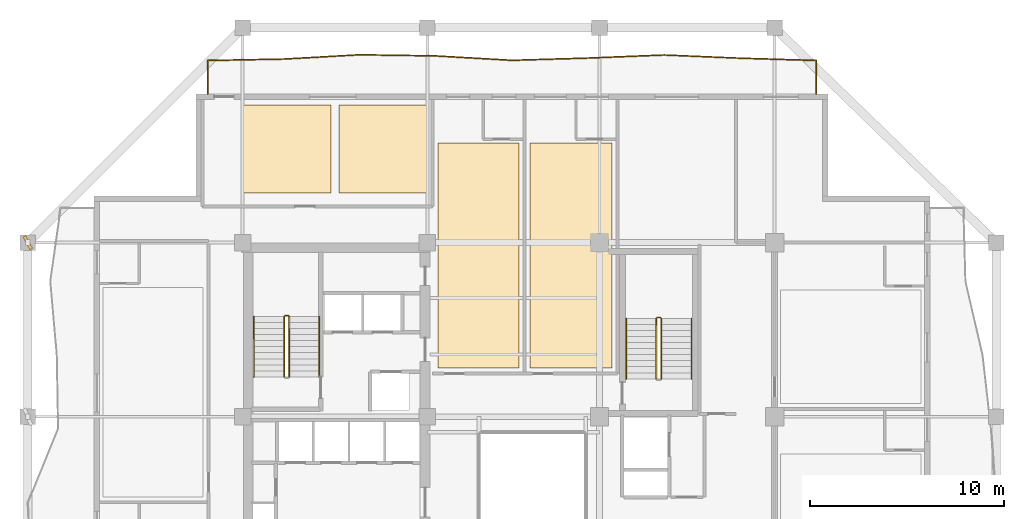
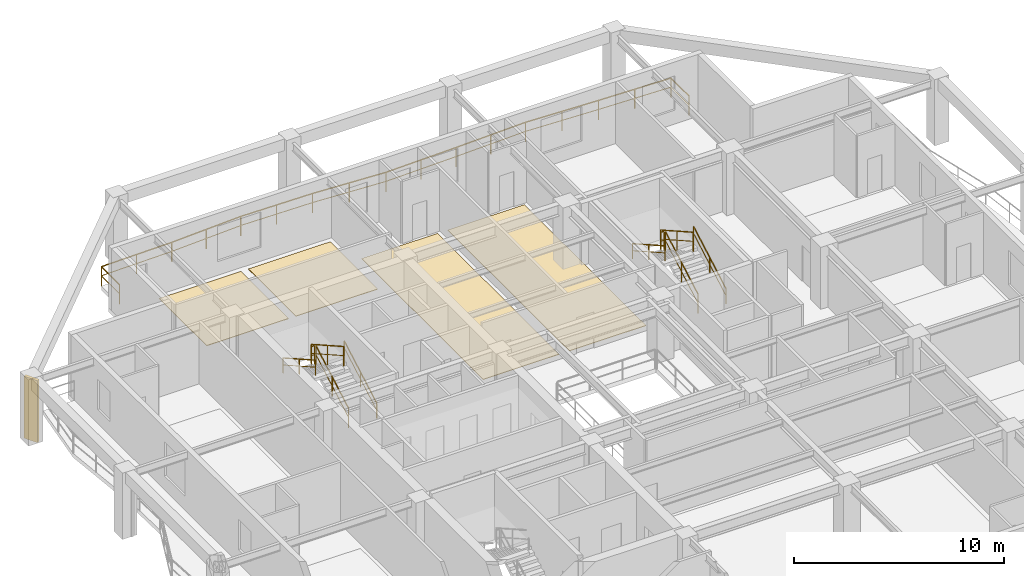
# One storey, part 10 of 12: 11 railings, 4 coverings, 1 shading device.
"""IFC4 building model written with IfcOpenShell, lengths in metres."""

from ifc_helpers import new_model, si_unit, direction, frame, origin, origin_2d, place, context, subcontext, project, spatial, polyline, rectangle, outline, extrude, material, layer, layer_set, type_object, element, save


model = new_model("IFC4")

# Units and contexts
model_context = context("Model", 3, precision=1e-05, world=origin(), true_north=direction((0.0, 1.0)))
body_context = subcontext(model_context, "Body", "Model", "MODEL_VIEW")
ifc_project = project(units=[si_unit("LENGTHUNIT", "METRE"), si_unit("AREAUNIT", "SQUARE_METRE"), si_unit("VOLUMEUNIT", "CUBIC_METRE"), si_unit("PLANEANGLEUNIT", "RADIAN"), si_unit("MASSUNIT", "GRAM", prefix="KILO")], contexts=[model_context])

# Site, building, storey
site_placement = place(None, origin())
site = spatial("IfcSite", under=ifc_project, at=site_placement, CompositionType="ELEMENT")
building_placement = place(site_placement, origin())
building = spatial("IfcBuilding", under=site, at=building_placement, Name="Kundavana Baori Tower", CompositionType="ELEMENT")
storey_placement = place(building_placement, frame((0.0, 0.0, 196.39990234375)))
storey = spatial("IfcBuildingStorey", under=building, at=storey_placement, Name="L48", CompositionType="ELEMENT", Elevation=196.39990234375)

# Coverings
ifc_material_1 = material(Name="Honed Kota Stone and Terrazzo Flooring", Category="masonry")
ifc_layer = layer(ifc_material_1, 0.030029296875, Name="COV-INT-FLR")
ifc_layer_set = layer_set([ifc_layer], Name="Honed Kota Stone and Terrazzo Flooring")
covering_type = type_object("IfcCoveringType", Name="COV-INT-FLR", PredefinedType="FLOORING", material=ifc_layer_set)
covering_1_placement = place(storey_placement, origin())
element("IfcCovering", 1, at=covering_1_placement, inside=storey, type_object=covering_type, Name="L48 Room Finished Stone Flooring 7", PredefinedType="FLOORING", context=body_context, shape_type="SweptSolid", body=[
    extrude(outline(polyline([(25.5, 35.5), (29.669921875, 35.5), (29.669921875, 47.070068359375), (25.5, 47.070068359375), (25.5, 35.5)])), origin(), (0.0, 0.0, 1.0), 0.030029296875),
])
covering_2_placement = place(storey_placement, origin())
element("IfcCovering", 2, at=covering_2_placement, inside=storey, type_object=covering_type, Name="L48 Room Finished Stone Flooring 8", PredefinedType="FLOORING", context=body_context, shape_type="SweptSolid", body=[
    extrude(outline(polyline([(30.22998046875, 35.5), (34.43994140625, 35.5), (34.43994140625, 47.070068359375), (30.22998046875, 47.070068359375), (30.22998046875, 35.5)])), origin(), (0.0, 0.0, 1.0), 0.030029296875),
])
covering_3_placement = place(storey_placement, origin())
element("IfcCovering", 3, at=covering_3_placement, inside=storey, type_object=covering_type, Name="L48 Room Finished Stone Flooring 11", PredefinedType="FLOORING", context=body_context, shape_type="SweptSolid", body=[
    extrude(outline(polyline([(15.5, 44.5), (20.0, 44.5), (20.0, 49.02001953125), (15.5, 49.02001953125), (15.5, 44.5)])), origin(), (0.0, 0.0, 1.0), 0.030029296875),
])
covering_4_placement = place(storey_placement, origin())
element("IfcCovering", 4, at=covering_4_placement, inside=storey, type_object=covering_type, Name="L48 Room Finished Stone Flooring 12", PredefinedType="FLOORING", context=body_context, shape_type="SweptSolid", body=[
    extrude(outline(polyline([(20.39990234375, 44.5), (24.89990234375, 44.5), (24.89990234375, 49.02001953125), (20.39990234375, 49.02001953125), (20.39990234375, 44.5)])), origin(), (0.0, 0.0, 1.0), 0.030029296875),
])

# Railings
ifc_material_2 = material(Name="Architectural Patinated Bronze Metalwork")
railing_type_1 = type_object("IfcRailingType", Name="RL-BAL-1150", PredefinedType="BALUSTRADE", material=ifc_material_2)
railing_1_placement = place(storey_placement, frame((13.64990234375, 49.60009765625, 0.0)))
element("IfcRailing", 5, at=railing_1_placement, inside=storey, type_object=railing_type_1, Name="L48 Loggia Balcony Balustrade N", PredefinedType="BALUSTRADE", context=body_context, shape_type="SweptSolid", body=[
    extrude(rectangle(XDim=0.048095703125, YDim=0.048095703125, at=origin_2d()), frame((0.0, 0.0, 1.1259765625), z_axis=(0.0, 1.0, 0.0), x_axis=(-1.0, 0.0, 0.0)), (0.0, 0.0, 1.0), 1.719970703125),
    extrude(rectangle(XDim=0.03125, YDim=0.03125, at=origin_2d()), frame((0.0, 0.0, 0.597900390625), z_axis=(0.0, 1.0, 0.0), x_axis=(-1.0, 0.0, 0.0)), (0.0, 0.0, 1.0), 1.719970703125),
    extrude(rectangle(XDim=0.048095703125, YDim=0.048095703125, at=origin_2d()), frame((0.0, 1.719970703125, 1.1259765625), z_axis=(0.999816521431, 0.019155246635, 0.0), x_axis=(-0.019155246635, 0.999816521431, 0.0)), (0.0, 0.0, 1.0), 3.912841796875),
    extrude(rectangle(XDim=0.03125, YDim=0.03125, at=origin_2d()), frame((0.0, 1.719970703125, 0.597900390625), z_axis=(0.999816521431, 0.019155246635, 0.0), x_axis=(-0.019155246635, 0.999816521431, 0.0)), (0.0, 0.0, 1.0), 3.912841796875),
    extrude(rectangle(XDim=0.048095703125, YDim=0.048095703125, at=origin_2d()), frame((3.912109375, 1.794921875, 1.1259765625), z_axis=(0.998423720892, 0.056125516129, 0.0), x_axis=(-0.056125516129, 0.998423720892, 0.0)), (0.0, 0.0, 1.0), 3.919189453125),
    extrude(rectangle(XDim=0.03125, YDim=0.03125, at=origin_2d()), frame((3.912109375, 1.794921875, 0.597900390625), z_axis=(0.998423720892, 0.056125516129, 0.0), x_axis=(-0.056125516129, 0.998423720892, 0.0)), (0.0, 0.0, 1.0), 3.919189453125),
    extrude(rectangle(XDim=0.048095703125, YDim=0.048095703125, at=origin_2d()), frame((7.8251953125, 2.014892578125, 1.1259765625), z_axis=(0.999886021744, -0.015097798544, 0.0), x_axis=(0.015097798544, 0.999886021744, 0.0)), (0.0, 0.0, 1.0), 3.913330078125),
    extrude(rectangle(XDim=0.03125, YDim=0.03125, at=origin_2d()), frame((7.8251953125, 2.014892578125, 0.597900390625), z_axis=(0.999886021744, -0.015097798544, 0.0), x_axis=(0.015097798544, 0.999886021744, 0.0)), (0.0, 0.0, 1.0), 3.913330078125),
    extrude(rectangle(XDim=0.048095703125, YDim=0.048095703125, at=origin_2d()), frame((11.738037109375, 1.955810546875, 1.1259765625), z_axis=(0.998323643272, -0.057878349014, 0.0), x_axis=(0.057878349014, 0.998323643272, 0.0)), (0.0, 0.0, 1.0), 3.918701171875),
    extrude(rectangle(XDim=0.03125, YDim=0.03125, at=origin_2d()), frame((11.738037109375, 1.955810546875, 0.597900390625), z_axis=(0.998323643272, -0.057878349014, 0.0), x_axis=(0.057878349014, 0.998323643272, 0.0)), (0.0, 0.0, 1.0), 3.918701171875),
    extrude(rectangle(XDim=0.048095703125, YDim=0.048095703125, at=origin_2d()), frame((15.650146484375, 1.72900390625, 1.1259765625), z_axis=(0.999553680635, 0.029873726401, 0.0), x_axis=(-0.029873726401, 0.999553680635, 0.0)), (0.0, 0.0, 1.0), 3.91455078125),
    extrude(rectangle(XDim=0.03125, YDim=0.03125, at=origin_2d()), frame((15.650146484375, 1.72900390625, 0.597900390625), z_axis=(0.999553680635, 0.029873726401, 0.0), x_axis=(-0.029873726401, 0.999553680635, 0.0)), (0.0, 0.0, 1.0), 3.91455078125),
    extrude(rectangle(XDim=0.048095703125, YDim=0.048095703125, at=origin_2d()), frame((19.56298828125, 1.845947265625, 1.1259765625), z_axis=(0.999195870512, 0.040095041484, 0.0), x_axis=(-0.040095041484, 0.999195870512, 0.0)), (0.0, 0.0, 1.0), 3.915283203125),
    extrude(rectangle(XDim=0.03125, YDim=0.03125, at=origin_2d()), frame((19.56298828125, 1.845947265625, 0.597900390625), z_axis=(0.999195870512, 0.040095041484, 0.0), x_axis=(-0.040095041484, 0.999195870512, 0.0)), (0.0, 0.0, 1.0), 3.915283203125),
    extrude(rectangle(XDim=0.048095703125, YDim=0.048095703125, at=origin_2d()), frame((23.47509765625, 2.0029296875, 1.1259765625), z_axis=(0.999122235974, -0.041889826714, 0.0), x_axis=(0.041889826714, 0.999122235974, 0.0)), (0.0, 0.0, 1.0), 3.91650390625),
    extrude(rectangle(XDim=0.03125, YDim=0.03125, at=origin_2d()), frame((23.47509765625, 2.0029296875, 0.597900390625), z_axis=(0.999122235974, -0.041889826714, 0.0), x_axis=(0.041889826714, 0.999122235974, 0.0)), (0.0, 0.0, 1.0), 3.91650390625),
    extrude(rectangle(XDim=0.048095703125, YDim=0.048095703125, at=origin_2d()), frame((27.38818359375, 1.8388671875, 1.1259765625), z_axis=(0.99953842796, -0.030379779967, 0.0), x_axis=(0.030379779967, 0.99953842796, 0.0)), (0.0, 0.0, 1.0), 3.91357421875),
    extrude(rectangle(XDim=0.03125, YDim=0.03125, at=origin_2d()), frame((27.38818359375, 1.8388671875, 0.597900390625), z_axis=(0.99953842796, -0.030379779967, 0.0), x_axis=(0.030379779967, 0.99953842796, 0.0)), (0.0, 0.0, 1.0), 3.91357421875),
    extrude(rectangle(XDim=0.048095703125, YDim=0.048095703125, at=origin_2d()), frame((31.300048828125, 1.719970703125, 1.1259765625), z_axis=(0.0, -1.0, 0.0), x_axis=(1.0, 0.0, 0.0)), (0.0, 0.0, 1.0), 1.719970703125),
    extrude(rectangle(XDim=0.03125, YDim=0.03125, at=origin_2d()), frame((31.300048828125, 1.719970703125, 0.597900390625), z_axis=(0.0, -1.0, 0.0), x_axis=(1.0, 0.0, 0.0)), (0.0, 0.0, 1.0), 1.719970703125),
    extrude(rectangle(XDim=0.0419921875, YDim=0.0419921875, at=origin_2d()), origin(), (0.0, 0.0, 1.0), 1.101806640625),
    extrude(rectangle(XDim=0.0419921875, YDim=0.0419921875, at=origin_2d()), frame((0.0, 1.719970703125, 0.0)), (0.0, 0.0, 1.0), 1.101806640625),
    extrude(rectangle(XDim=0.0419921875, YDim=0.0419921875, at=origin_2d()), frame((1.9560546875, 1.75732421875, 0.0)), (0.0, 0.0, 1.0), 1.101806640625),
    extrude(rectangle(XDim=0.0419921875, YDim=0.0419921875, at=origin_2d()), frame((3.912109375, 1.794921875, 0.0)), (0.0, 0.0, 1.0), 1.101806640625),
    extrude(rectangle(XDim=0.0419921875, YDim=0.0419921875, at=origin_2d()), frame((5.86865234375, 1.90478515625, 0.0)), (0.0, 0.0, 1.0), 1.101806640625),
    extrude(rectangle(XDim=0.0419921875, YDim=0.0419921875, at=origin_2d()), frame((7.8251953125, 2.014892578125, 0.0)), (0.0, 0.0, 1.0), 1.101806640625),
    extrude(rectangle(XDim=0.0419921875, YDim=0.0419921875, at=origin_2d()), frame((9.78173828125, 1.9853515625, 0.0)), (0.0, 0.0, 1.0), 1.101806640625),
    extrude(rectangle(XDim=0.0419921875, YDim=0.0419921875, at=origin_2d()), frame((11.738037109375, 1.955810546875, 0.0)), (0.0, 0.0, 1.0), 1.101806640625),
    extrude(rectangle(XDim=0.0419921875, YDim=0.0419921875, at=origin_2d()), frame((13.694091796875, 1.84228515625, 0.0)), (0.0, 0.0, 1.0), 1.101806640625),
    extrude(rectangle(XDim=0.0419921875, YDim=0.0419921875, at=origin_2d()), frame((15.650146484375, 1.72900390625, 0.0)), (0.0, 0.0, 1.0), 1.101806640625),
    extrude(rectangle(XDim=0.0419921875, YDim=0.0419921875, at=origin_2d()), frame((17.6064453125, 1.78759765625, 0.0)), (0.0, 0.0, 1.0), 1.101806640625),
    extrude(rectangle(XDim=0.0419921875, YDim=0.0419921875, at=origin_2d()), frame((19.56298828125, 1.845947265625, 0.0)), (0.0, 0.0, 1.0), 1.101806640625),
    extrude(rectangle(XDim=0.0419921875, YDim=0.0419921875, at=origin_2d()), frame((21.51904296875, 1.92431640625, 0.0)), (0.0, 0.0, 1.0), 1.101806640625),
    extrude(rectangle(XDim=0.0419921875, YDim=0.0419921875, at=origin_2d()), frame((23.47509765625, 2.0029296875, 0.0)), (0.0, 0.0, 1.0), 1.101806640625),
    extrude(rectangle(XDim=0.0419921875, YDim=0.0419921875, at=origin_2d()), frame((25.431640625, 1.9208984375, 0.0)), (0.0, 0.0, 1.0), 1.101806640625),
    extrude(rectangle(XDim=0.0419921875, YDim=0.0419921875, at=origin_2d()), frame((27.38818359375, 1.8388671875, 0.0)), (0.0, 0.0, 1.0), 1.101806640625),
    extrude(rectangle(XDim=0.0419921875, YDim=0.0419921875, at=origin_2d()), frame((29.34423828125, 1.779296875, 0.0)), (0.0, 0.0, 1.0), 1.101806640625),
    extrude(rectangle(XDim=0.0419921875, YDim=0.0419921875, at=origin_2d()), frame((31.300048828125, 1.719970703125, 0.0)), (0.0, 0.0, 1.0), 1.101806640625),
    extrude(rectangle(XDim=0.0419921875, YDim=0.0419921875, at=origin_2d()), frame((31.300048828125, 0.0, 0.0)), (0.0, 0.0, 1.0), 1.101806640625),
])
ifc_material_3 = material(Name="Architectural Patinated Bronze Metalwork")
railing_type_2 = type_object("IfcRailingType", Name="RL-GRD-1150", PredefinedType="GUARDRAIL", material=ifc_material_3)
railing_2_placement = place(storey_placement, frame((17.840087890625, 35.050048828125, 0.175048828125)))
element("IfcRailing", 6, at=railing_2_placement, inside=storey, type_object=railing_type_2, Name="L48 ST2 stair guard 1", PredefinedType="GUARDRAIL", context=body_context, shape_type="SweptSolid", body=[
    extrude(rectangle(XDim=0.048095703125, YDim=0.048095703125, at=origin_2d()), frame((0.0, 0.0, 1.1259765625), z_axis=(0.0, 0.870814364268, 0.491611984175), x_axis=(-1.0, 0.0, 0.0)), (0.0, 0.0, 1.0), 3.559814453125),
    extrude(rectangle(XDim=0.03125, YDim=0.03125, at=origin_2d()), frame((0.0, 0.0, 0.597900390625), z_axis=(0.0, 0.870814364268, 0.491611984175), x_axis=(-1.0, 0.0, 0.0)), (0.0, 0.0, 1.0), 3.559814453125),
    extrude(rectangle(XDim=0.0419921875, YDim=0.0419921875, at=origin_2d()), origin(), (0.0, 0.0, 1.0), 1.101806640625),
    extrude(rectangle(XDim=0.0419921875, YDim=0.0419921875, at=origin_2d()), frame((0.0, 1.5498046875, 0.875)), (0.0, 0.0, 1.0), 1.101806640625),
    extrude(rectangle(XDim=0.0419921875, YDim=0.0419921875, at=origin_2d()), frame((0.0, 3.099853515625, 1.75)), (0.0, 0.0, 1.0), 1.101806640625),
])
railing_3_placement = place(storey_placement, frame((17.7900390625, 38.199951171875, 1.925048828125)))
element("IfcRailing", 7, at=railing_3_placement, inside=storey, type_object=railing_type_2, Name="L48 ST2 stair guard 2", PredefinedType="GUARDRAIL", context=body_context, shape_type="SweptSolid", body=[
    extrude(rectangle(XDim=0.048095703125, YDim=0.048095703125, at=origin_2d()), frame((0.0, 0.0, 1.1259765625), z_axis=(-1.0, 0.0, 0.0), x_axis=(0.0, -1.0, 0.0)), (0.0, 0.0, 1.0), 0.16015625),
    extrude(rectangle(XDim=0.03125, YDim=0.03125, at=origin_2d()), frame((0.0, 0.0, 0.597900390625), z_axis=(-1.0, 0.0, 0.0), x_axis=(0.0, -1.0, 0.0)), (0.0, 0.0, 1.0), 0.16015625),
    extrude(rectangle(XDim=0.0419921875, YDim=0.0419921875, at=origin_2d()), origin(), (0.0, 0.0, 1.0), 1.101806640625),
    extrude(rectangle(XDim=0.0419921875, YDim=0.0419921875, at=origin_2d()), frame((-0.16015625, 0.0, 0.0)), (0.0, 0.0, 1.0), 1.101806640625),
])
railing_4_placement = place(storey_placement, frame((17.580078125, 38.14990234375, 2.10009765625)))
element("IfcRailing", 8, at=railing_4_placement, inside=storey, type_object=railing_type_2, Name="L48 ST2 stair guard 3", PredefinedType="GUARDRAIL", context=body_context, shape_type="SweptSolid", body=[
    extrude(rectangle(XDim=0.048095703125, YDim=0.048095703125, at=origin_2d()), frame((0.0, 0.0, 1.1259765625), z_axis=(0.0, -0.870814364268, 0.491611984175), x_axis=(1.0, 0.0, 0.0)), (0.0, 0.0, 1.0), 3.559814453125),
    extrude(rectangle(XDim=0.03125, YDim=0.03125, at=origin_2d()), frame((0.0, 0.0, 0.597900390625), z_axis=(0.0, -0.870814364268, 0.491611984175), x_axis=(1.0, 0.0, 0.0)), (0.0, 0.0, 1.0), 3.559814453125),
    extrude(rectangle(XDim=0.0419921875, YDim=0.0419921875, at=origin_2d()), origin(), (0.0, 0.0, 1.0), 1.101806640625),
    extrude(rectangle(XDim=0.0419921875, YDim=0.0419921875, at=origin_2d()), frame((0.0, -1.5498046875, 0.875)), (0.0, 0.0, 1.0), 1.101806640625),
    extrude(rectangle(XDim=0.0419921875, YDim=0.0419921875, at=origin_2d()), frame((0.0, -3.099853515625, 1.75)), (0.0, 0.0, 1.0), 1.101806640625),
])
railing_5_placement = place(storey_placement, frame((36.97998046875, 34.949951171875, 0.175048828125)))
element("IfcRailing", 9, at=railing_5_placement, inside=storey, type_object=railing_type_2, Name="L48 ST3 stair guard 1", PredefinedType="GUARDRAIL", context=body_context, shape_type="SweptSolid", body=[
    extrude(rectangle(XDim=0.048095703125, YDim=0.048095703125, at=origin_2d()), frame((0.0, 0.0, 1.1259765625), z_axis=(0.0, 0.870830938388, 0.491582624537), x_axis=(-1.0, 0.0, 0.0)), (0.0, 0.0, 1.0), 3.559814453125),
    extrude(rectangle(XDim=0.03125, YDim=0.03125, at=origin_2d()), frame((0.0, 0.0, 0.597900390625), z_axis=(0.0, 0.870830938388, 0.491582624537), x_axis=(-1.0, 0.0, 0.0)), (0.0, 0.0, 1.0), 3.559814453125),
    extrude(rectangle(XDim=0.0419921875, YDim=0.0419921875, at=origin_2d()), origin(), (0.0, 0.0, 1.0), 1.101806640625),
    extrude(rectangle(XDim=0.0419921875, YDim=0.0419921875, at=origin_2d()), frame((0.0, 1.550048828125, 0.875)), (0.0, 0.0, 1.0), 1.101806640625),
    extrude(rectangle(XDim=0.0419921875, YDim=0.0419921875, at=origin_2d()), frame((0.0, 3.10009765625, 1.75)), (0.0, 0.0, 1.0), 1.101806640625),
])
railing_6_placement = place(storey_placement, frame((36.929931640625, 38.10009765625, 1.925048828125)))
element("IfcRailing", 10, at=railing_6_placement, inside=storey, type_object=railing_type_2, Name="L48 ST3 stair guard 2", PredefinedType="GUARDRAIL", context=body_context, shape_type="SweptSolid", body=[
    extrude(rectangle(XDim=0.048095703125, YDim=0.048095703125, at=origin_2d()), frame((0.0, 0.0, 1.1259765625), z_axis=(-1.0, 0.0, 0.0), x_axis=(0.0, -1.0, 0.0)), (0.0, 0.0, 1.0), 0.159912109375),
    extrude(rectangle(XDim=0.03125, YDim=0.03125, at=origin_2d()), frame((0.0, 0.0, 0.597900390625), z_axis=(-1.0, 0.0, 0.0), x_axis=(0.0, -1.0, 0.0)), (0.0, 0.0, 1.0), 0.159912109375),
    extrude(rectangle(XDim=0.0419921875, YDim=0.0419921875, at=origin_2d()), origin(), (0.0, 0.0, 1.0), 1.101806640625),
    extrude(rectangle(XDim=0.0419921875, YDim=0.0419921875, at=origin_2d()), frame((-0.159912109375, 0.0, 0.0)), (0.0, 0.0, 1.0), 1.101806640625),
])
railing_7_placement = place(storey_placement, frame((36.719970703125, 38.050048828125, 2.10009765625)))
element("IfcRailing", 11, at=railing_7_placement, inside=storey, type_object=railing_type_2, Name="L48 ST3 stair guard 3", PredefinedType="GUARDRAIL", context=body_context, shape_type="SweptSolid", body=[
    extrude(rectangle(XDim=0.048095703125, YDim=0.048095703125, at=origin_2d()), frame((0.0, 0.0, 1.1259765625), z_axis=(0.0, -0.870830938388, 0.491582624537), x_axis=(1.0, 0.0, 0.0)), (0.0, 0.0, 1.0), 3.559814453125),
    extrude(rectangle(XDim=0.03125, YDim=0.03125, at=origin_2d()), frame((0.0, 0.0, 0.597900390625), z_axis=(0.0, -0.870830938388, 0.491582624537), x_axis=(1.0, 0.0, 0.0)), (0.0, 0.0, 1.0), 3.559814453125),
    extrude(rectangle(XDim=0.0419921875, YDim=0.0419921875, at=origin_2d()), origin(), (0.0, 0.0, 1.0), 1.101806640625),
    extrude(rectangle(XDim=0.0419921875, YDim=0.0419921875, at=origin_2d()), frame((0.0, -1.550048828125, 0.875)), (0.0, 0.0, 1.0), 1.101806640625),
    extrude(rectangle(XDim=0.0419921875, YDim=0.0419921875, at=origin_2d()), frame((0.0, -3.10009765625, 1.75)), (0.0, 0.0, 1.0), 1.101806640625),
])
ifc_material_4 = material(Name="Architectural Patinated Bronze Metalwork")
railing_type_3 = type_object("IfcRailingType", Name="RL-HND-920", PredefinedType="HANDRAIL", material=ifc_material_4)
railing_8_placement = place(storey_placement, frame((19.389892578125, 35.050048828125, 0.175048828125)))
element("IfcRailing", 12, at=railing_8_placement, inside=storey, type_object=railing_type_3, Name="L48 ST2 stair handrail 1", PredefinedType="HANDRAIL", context=body_context, shape_type="SweptSolid", body=[
    extrude(rectangle(XDim=0.048095703125, YDim=0.048095703125, at=origin_2d()), frame((0.0, 0.0, 0.8759765625), z_axis=(0.0, 0.870814364268, 0.491611984175), x_axis=(-1.0, 0.0, 0.0)), (0.0, 0.0, 1.0), 3.559814453125),
    extrude(rectangle(XDim=0.03125, YDim=0.03125, at=origin_2d()), frame((0.0, 0.0, 0.468017578125), z_axis=(0.0, 0.870814364268, 0.491611984175), x_axis=(-1.0, 0.0, 0.0)), (0.0, 0.0, 1.0), 3.559814453125),
    extrude(rectangle(XDim=0.0419921875, YDim=0.0419921875, at=origin_2d()), origin(), (0.0, 0.0, 1.0), 0.851806640625),
    extrude(rectangle(XDim=0.0419921875, YDim=0.0419921875, at=origin_2d()), frame((0.0, 1.5498046875, 0.875)), (0.0, 0.0, 1.0), 0.851806640625),
    extrude(rectangle(XDim=0.0419921875, YDim=0.0419921875, at=origin_2d()), frame((0.0, 3.099853515625, 1.75)), (0.0, 0.0, 1.0), 0.851806640625),
])
railing_9_placement = place(storey_placement, frame((16.030029296875, 38.14990234375, 2.10009765625)))
element("IfcRailing", 13, at=railing_9_placement, inside=storey, type_object=railing_type_3, Name="L48 ST2 stair handrail 2", PredefinedType="HANDRAIL", context=body_context, shape_type="SweptSolid", body=[
    extrude(rectangle(XDim=0.048095703125, YDim=0.048095703125, at=origin_2d()), frame((0.0, 0.0, 0.8759765625), z_axis=(0.0, -0.870814364268, 0.491611984175), x_axis=(1.0, 0.0, 0.0)), (0.0, 0.0, 1.0), 3.559814453125),
    extrude(rectangle(XDim=0.03125, YDim=0.03125, at=origin_2d()), frame((0.0, 0.0, 0.468017578125), z_axis=(0.0, -0.870814364268, 0.491611984175), x_axis=(1.0, 0.0, 0.0)), (0.0, 0.0, 1.0), 3.559814453125),
    extrude(rectangle(XDim=0.0419921875, YDim=0.0419921875, at=origin_2d()), origin(), (0.0, 0.0, 1.0), 0.851806640625),
    extrude(rectangle(XDim=0.0419921875, YDim=0.0419921875, at=origin_2d()), frame((0.0, -1.5498046875, 0.875)), (0.0, 0.0, 1.0), 0.851806640625),
    extrude(rectangle(XDim=0.0419921875, YDim=0.0419921875, at=origin_2d()), frame((0.0, -3.099853515625, 1.75)), (0.0, 0.0, 1.0), 0.851806640625),
])
railing_10_placement = place(storey_placement, frame((38.530029296875, 34.949951171875, 0.175048828125)))
element("IfcRailing", 14, at=railing_10_placement, inside=storey, type_object=railing_type_3, Name="L48 ST3 stair handrail 1", PredefinedType="HANDRAIL", context=body_context, shape_type="SweptSolid", body=[
    extrude(rectangle(XDim=0.048095703125, YDim=0.048095703125, at=origin_2d()), frame((0.0, 0.0, 0.8759765625), z_axis=(0.0, 0.870830938388, 0.491582624537), x_axis=(-1.0, 0.0, 0.0)), (0.0, 0.0, 1.0), 3.559814453125),
    extrude(rectangle(XDim=0.03125, YDim=0.03125, at=origin_2d()), frame((0.0, 0.0, 0.468017578125), z_axis=(0.0, 0.870830938388, 0.491582624537), x_axis=(-1.0, 0.0, 0.0)), (0.0, 0.0, 1.0), 3.559814453125),
    extrude(rectangle(XDim=0.0419921875, YDim=0.0419921875, at=origin_2d()), origin(), (0.0, 0.0, 1.0), 0.851806640625),
    extrude(rectangle(XDim=0.0419921875, YDim=0.0419921875, at=origin_2d()), frame((0.0, 1.550048828125, 0.875)), (0.0, 0.0, 1.0), 0.851806640625),
    extrude(rectangle(XDim=0.0419921875, YDim=0.0419921875, at=origin_2d()), frame((0.0, 3.10009765625, 1.75)), (0.0, 0.0, 1.0), 0.851806640625),
])
railing_11_placement = place(storey_placement, frame((35.169921875, 38.050048828125, 2.10009765625)))
element("IfcRailing", 15, at=railing_11_placement, inside=storey, type_object=railing_type_3, Name="L48 ST3 stair handrail 2", PredefinedType="HANDRAIL", context=body_context, shape_type="SweptSolid", body=[
    extrude(rectangle(XDim=0.048095703125, YDim=0.048095703125, at=origin_2d()), frame((0.0, 0.0, 0.8759765625), z_axis=(0.0, -0.870830938388, 0.491582624537), x_axis=(1.0, 0.0, 0.0)), (0.0, 0.0, 1.0), 3.559814453125),
    extrude(rectangle(XDim=0.03125, YDim=0.03125, at=origin_2d()), frame((0.0, 0.0, 0.468017578125), z_axis=(0.0, -0.870830938388, 0.491582624537), x_axis=(1.0, 0.0, 0.0)), (0.0, 0.0, 1.0), 3.559814453125),
    extrude(rectangle(XDim=0.0419921875, YDim=0.0419921875, at=origin_2d()), origin(), (0.0, 0.0, 1.0), 0.851806640625),
    extrude(rectangle(XDim=0.0419921875, YDim=0.0419921875, at=origin_2d()), frame((0.0, -1.550048828125, 0.875)), (0.0, 0.0, 1.0), 0.851806640625),
    extrude(rectangle(XDim=0.0419921875, YDim=0.0419921875, at=origin_2d()), frame((0.0, -3.10009765625, 1.75)), (0.0, 0.0, 1.0), 0.851806640625),
])

# Shading device
ifc_material_5 = material(Name="Red-Buff Dholpur Sandstone Cladding on Concrete C40/50", Category="masonry")
shading_device_type = type_object("IfcShadingDeviceType", Name="SHD-FIN-750", PredefinedType="JALOUSIE", material=ifc_material_5)
shading_device_placement = place(storey_placement, frame((4.39990234375, 41.949951171875, 0.0), z_axis=(0.0, 0.0, 1.0), x_axis=(0.876894599045, 0.480682704252, 0.0)))
element("IfcShadingDevice", 16, at=shading_device_placement, inside=storey, type_object=shading_device_type, Name="L48 Sweeping Dholpur Sandstone Facade Fin 8", PredefinedType="JALOUSIE", context=body_context, shape_type="SweptSolid", body=[
    extrude(rectangle(XDim=0.159912109375, YDim=0.75, at=origin_2d()), origin(), (0.0, 0.0, 1.0), 3.60009765625),
])

save(model, "model.ifc")
